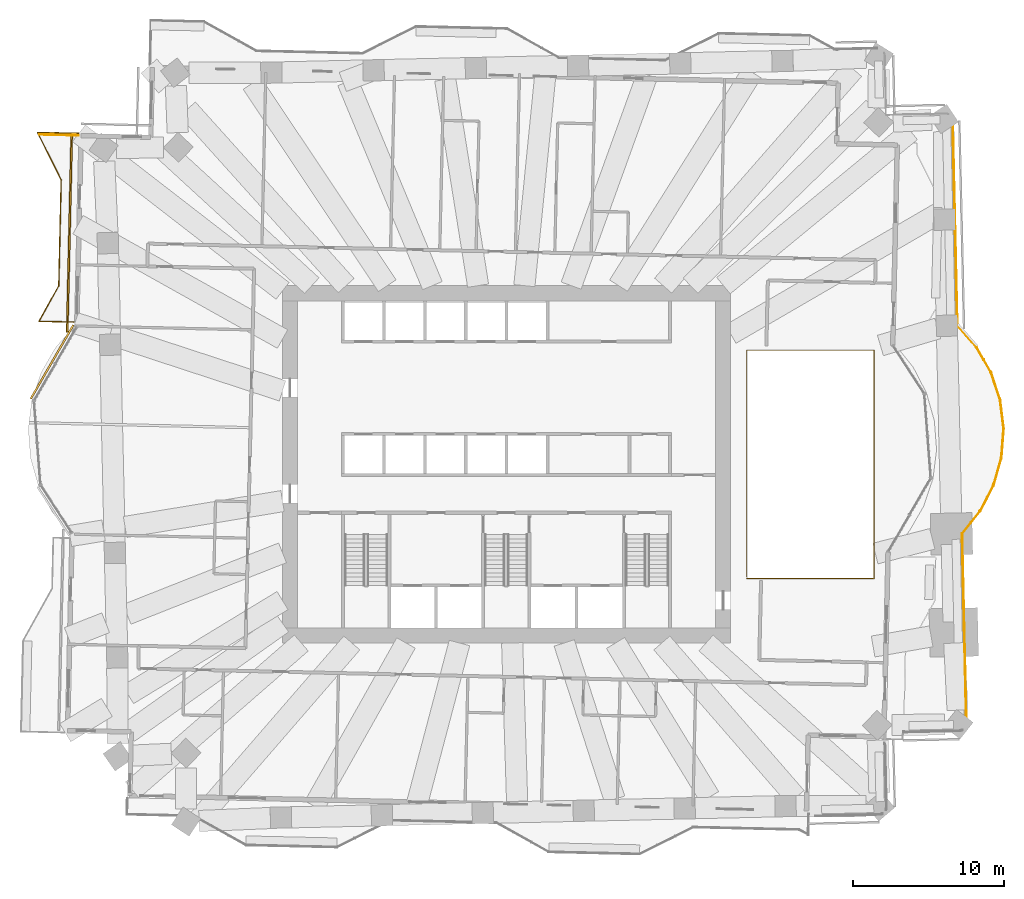
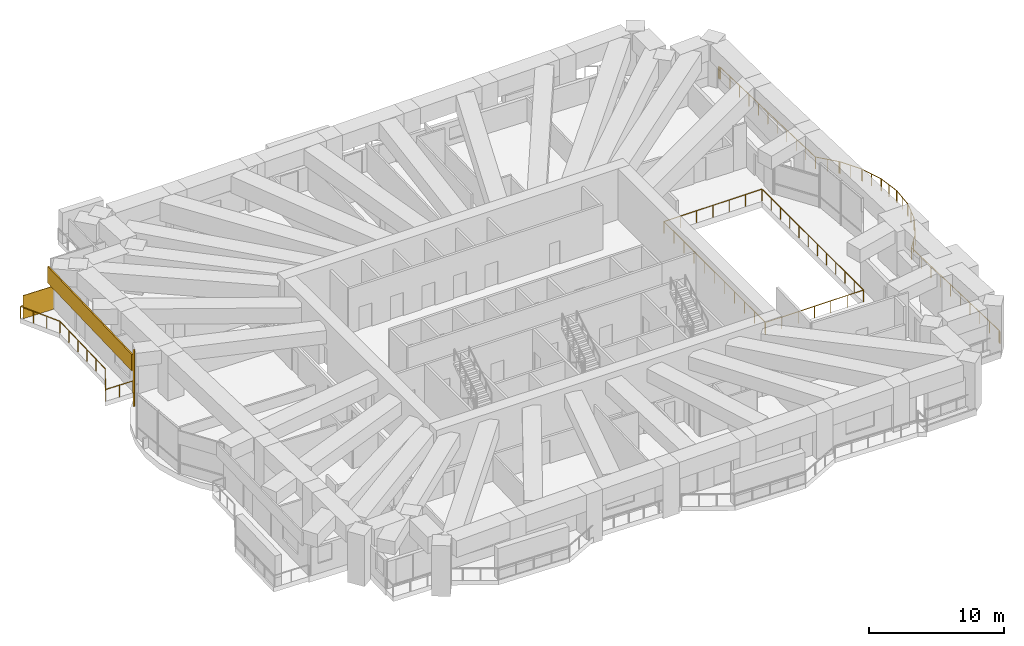
# One storey, part 19 of 20: 3 railings, 2 coverings, 1 shading device.
"""IFC4 building model written with IfcOpenShell, lengths in metres."""

from ifc_helpers import new_model, si_unit, direction, frame, frame_2d, origin, origin_2d, place, context, subcontext, project, spatial, rectangle, extrude, material, layer, layer_set, type_object, element, save


model = new_model("IFC4")

# Units and contexts
model_context = context("Model", 3, precision=1e-05, world=origin(), true_north=direction((0.0, 1.0)))
body_context = subcontext(model_context, "Body", "Model", "MODEL_VIEW")
ifc_project = project(units=[si_unit("LENGTHUNIT", "METRE"), si_unit("AREAUNIT", "SQUARE_METRE"), si_unit("VOLUMEUNIT", "CUBIC_METRE"), si_unit("PLANEANGLEUNIT", "RADIAN"), si_unit("MASSUNIT", "GRAM", prefix="KILO")], contexts=[model_context])

# Site, building, storey
site_placement = place(None, origin())
site = spatial("IfcSite", under=ifc_project, at=site_placement, CompositionType="ELEMENT")
building_placement = place(site_placement, origin())
building = spatial("IfcBuilding", under=site, at=building_placement, Name="Mangrove Gate Tower", CompositionType="ELEMENT")
storey_placement = place(building_placement, frame((0.0, 0.0, 97.300048828125)))
storey = spatial("IfcBuildingStorey", under=building, at=storey_placement, Name="L24", CompositionType="ELEMENT", Elevation=97.300048828125)

# Railings
ifc_material_1 = material(Name="Stainless steel grade 316 with laminated glass infill", Category="steel")
railing_type = type_object("IfcRailingType", Name="Balcony guard 1100", PredefinedType="GUARDRAIL", material=ifc_material_1)
railing_1_placement = place(storey_placement, frame((-28.2919921875, 21.861083984375, 0.0)))
element("IfcRailing", 1, at=railing_1_placement, inside=storey, type_object=railing_type, Name="GUARD L24 W1", PredefinedType="GUARDRAIL", context=body_context, shape_type="SweptSolid", body=[
    extrude(rectangle(XDim=0.048095703125, YDim=0.048095703125, at=origin_2d()), frame((0.0, 0.0, 1.076171875), z_axis=(-0.999744211975, 0.022616600579, 0.0), x_axis=(-0.022616600579, -0.999744211975, 0.0)), (0.0, 0.0, 1.0), 2.69873046875),
    extrude(rectangle(XDim=0.048095703125, YDim=0.048095703125, at=origin_2d()), frame((-2.697998046875, 0.06103515625, 1.076171875), z_axis=(0.447157891376, -0.894455040894, 0.0), x_axis=(0.894455040894, 0.447157891376, 0.0)), (0.0, 0.0, 1.0), 3.50634765625),
    extrude(rectangle(XDim=0.048095703125, YDim=0.048095703125, at=origin_2d()), frame((-1.130126953125, -3.0751953125, 1.076171875), z_axis=(-0.022703185001, -0.999742249478, 0.0), x_axis=(0.999742249478, -0.022703185001, 0.0)), (0.0, 0.0, 1.0), 7.00048828125),
    extrude(rectangle(XDim=0.048095703125, YDim=0.048095703125, at=origin_2d()), frame((-1.2890625, -10.073974609375, 1.076171875), z_axis=(-0.487332309153, -0.87321659424, 0.0), x_axis=(0.87321659424, -0.487332309153, 0.0)), (0.0, 0.0, 1.0), 2.685791015625),
    extrude(rectangle(XDim=0.048095703125, YDim=0.048095703125, at=origin_2d()), frame((-2.597900390625, -12.419189453125, 1.076171875), z_axis=(0.999738230516, -0.022879476484, 0.0), x_axis=(0.022879476484, 0.999738230516, 0.0)), (0.0, 0.0, 1.0), 2.3154296875),
    extrude(rectangle(XDim=0.0419921875, YDim=0.0419921875, at=origin_2d()), origin(), (0.0, 0.0, 1.0), 1.052001953125),
    extrude(rectangle(XDim=0.0419921875, YDim=0.0419921875, at=origin_2d()), frame((-1.34912109375, 0.030517578125, 0.0)), (0.0, 0.0, 1.0), 1.052001953125),
    extrude(rectangle(XDim=0.0419921875, YDim=0.0419921875, at=origin_2d()), frame((-2.697998046875, 0.06103515625, 0.0)), (0.0, 0.0, 1.0), 1.052001953125),
    extrude(rectangle(XDim=0.0419921875, YDim=0.0419921875, at=origin_2d()), frame((-2.17529296875, -0.984375, 0.0)), (0.0, 0.0, 1.0), 1.052001953125),
    extrude(rectangle(XDim=0.0419921875, YDim=0.0419921875, at=origin_2d()), frame((-1.65283203125, -2.02978515625, 0.0)), (0.0, 0.0, 1.0), 1.052001953125),
    extrude(rectangle(XDim=0.0419921875, YDim=0.0419921875, at=origin_2d()), frame((-1.130126953125, -3.0751953125, 0.0)), (0.0, 0.0, 1.0), 1.052001953125),
    extrude(rectangle(XDim=0.0419921875, YDim=0.0419921875, at=origin_2d()), frame((-1.161865234375, -4.474853515625, 0.0)), (0.0, 0.0, 1.0), 1.052001953125),
    extrude(rectangle(XDim=0.0419921875, YDim=0.0419921875, at=origin_2d()), frame((-1.193603515625, -5.874755859375, 0.0)), (0.0, 0.0, 1.0), 1.052001953125),
    extrude(rectangle(XDim=0.0419921875, YDim=0.0419921875, at=origin_2d()), frame((-1.2255859375, -7.2744140625, 0.0)), (0.0, 0.0, 1.0), 1.052001953125),
    extrude(rectangle(XDim=0.0419921875, YDim=0.0419921875, at=origin_2d()), frame((-1.25732421875, -8.67431640625, 0.0)), (0.0, 0.0, 1.0), 1.052001953125),
    extrude(rectangle(XDim=0.0419921875, YDim=0.0419921875, at=origin_2d()), frame((-1.2890625, -10.073974609375, 0.0)), (0.0, 0.0, 1.0), 1.052001953125),
    extrude(rectangle(XDim=0.0419921875, YDim=0.0419921875, at=origin_2d()), frame((-1.943359375, -11.24658203125, 0.0)), (0.0, 0.0, 1.0), 1.052001953125),
    extrude(rectangle(XDim=0.0419921875, YDim=0.0419921875, at=origin_2d()), frame((-2.597900390625, -12.419189453125, 0.0)), (0.0, 0.0, 1.0), 1.052001953125),
    extrude(rectangle(XDim=0.0419921875, YDim=0.0419921875, at=origin_2d()), frame((-1.4404296875, -12.44580078125, 0.0)), (0.0, 0.0, 1.0), 1.052001953125),
    extrude(rectangle(XDim=0.0419921875, YDim=0.0419921875, at=origin_2d()), frame((-0.282958984375, -12.47216796875, 0.0)), (0.0, 0.0, 1.0), 1.052001953125),
])
railing_2_placement = place(storey_placement, frame((15.860107421875, -7.5400390625, 0.0)))
element("IfcRailing", 2, at=railing_2_placement, inside=storey, type_object=railing_type, Name="GUARD L24 atrium", PredefinedType="GUARDRAIL", context=body_context, shape_type="SweptSolid", body=[
    extrude(rectangle(XDim=0.048095703125, YDim=0.048095703125, at=origin_2d()), frame((0.0, 0.0, 1.076171875), z_axis=(1.0, 0.0, 0.0), x_axis=(0.0, 1.0, 0.0)), (0.0, 0.0, 1.0), 8.406982421875),
    extrude(rectangle(XDim=0.048095703125, YDim=0.048095703125, at=origin_2d()), frame((8.406982421875, 0.0, 1.076171875), z_axis=(0.0, 1.0, 0.0), x_axis=(-1.0, 0.0, 0.0)), (0.0, 0.0, 1.0), 15.080078125),
    extrude(rectangle(XDim=0.048095703125, YDim=0.048095703125, at=origin_2d()), frame((8.406982421875, 15.080078125, 1.076171875), z_axis=(-1.0, 0.0, 0.0), x_axis=(0.0, -1.0, 0.0)), (0.0, 0.0, 1.0), 8.406982421875),
    extrude(rectangle(XDim=0.048095703125, YDim=0.048095703125, at=origin_2d()), frame((0.0, 15.080078125, 1.076171875), z_axis=(0.0, -1.0, 0.0), x_axis=(1.0, 0.0, 0.0)), (0.0, 0.0, 1.0), 14.9599609375),
    extrude(rectangle(XDim=0.0419921875, YDim=0.0419921875, at=origin_2d()), origin(), (0.0, 0.0, 1.0), 1.052001953125),
    extrude(rectangle(XDim=0.0419921875, YDim=0.0419921875, at=origin_2d()), frame((1.401123046875, 0.0, 0.0)), (0.0, 0.0, 1.0), 1.052001953125),
    extrude(rectangle(XDim=0.0419921875, YDim=0.0419921875, at=origin_2d()), frame((2.80224609375, 0.0, 0.0)), (0.0, 0.0, 1.0), 1.052001953125),
    extrude(rectangle(XDim=0.0419921875, YDim=0.0419921875, at=origin_2d()), frame((4.20361328125, 0.0, 0.0)), (0.0, 0.0, 1.0), 1.052001953125),
    extrude(rectangle(XDim=0.0419921875, YDim=0.0419921875, at=origin_2d()), frame((5.604736328125, 0.0, 0.0)), (0.0, 0.0, 1.0), 1.052001953125),
    extrude(rectangle(XDim=0.0419921875, YDim=0.0419921875, at=origin_2d()), frame((7.005859375, 0.0, 0.0)), (0.0, 0.0, 1.0), 1.052001953125),
    extrude(rectangle(XDim=0.0419921875, YDim=0.0419921875, at=origin_2d()), frame((8.406982421875, 0.0, 0.0)), (0.0, 0.0, 1.0), 1.052001953125),
    extrude(rectangle(XDim=0.0419921875, YDim=0.0419921875, at=origin_2d()), frame((8.406982421875, 1.370849609375, 0.0)), (0.0, 0.0, 1.0), 1.052001953125),
    extrude(rectangle(XDim=0.0419921875, YDim=0.0419921875, at=origin_2d()), frame((8.406982421875, 2.741943359375, 0.0)), (0.0, 0.0, 1.0), 1.052001953125),
    extrude(rectangle(XDim=0.0419921875, YDim=0.0419921875, at=origin_2d()), frame((8.406982421875, 4.11279296875, 0.0)), (0.0, 0.0, 1.0), 1.052001953125),
    extrude(rectangle(XDim=0.0419921875, YDim=0.0419921875, at=origin_2d()), frame((8.406982421875, 5.483642578125, 0.0)), (0.0, 0.0, 1.0), 1.052001953125),
    extrude(rectangle(XDim=0.0419921875, YDim=0.0419921875, at=origin_2d()), frame((8.406982421875, 6.8544921875, 0.0)), (0.0, 0.0, 1.0), 1.052001953125),
    extrude(rectangle(XDim=0.0419921875, YDim=0.0419921875, at=origin_2d()), frame((8.406982421875, 8.2255859375, 0.0)), (0.0, 0.0, 1.0), 1.052001953125),
    extrude(rectangle(XDim=0.0419921875, YDim=0.0419921875, at=origin_2d()), frame((8.406982421875, 9.596435546875, 0.0)), (0.0, 0.0, 1.0), 1.052001953125),
    extrude(rectangle(XDim=0.0419921875, YDim=0.0419921875, at=origin_2d()), frame((8.406982421875, 10.96728515625, 0.0)), (0.0, 0.0, 1.0), 1.052001953125),
    extrude(rectangle(XDim=0.0419921875, YDim=0.0419921875, at=origin_2d()), frame((8.406982421875, 12.338134765625, 0.0)), (0.0, 0.0, 1.0), 1.052001953125),
    extrude(rectangle(XDim=0.0419921875, YDim=0.0419921875, at=origin_2d()), frame((8.406982421875, 13.709228515625, 0.0)), (0.0, 0.0, 1.0), 1.052001953125),
    extrude(rectangle(XDim=0.0419921875, YDim=0.0419921875, at=origin_2d()), frame((8.406982421875, 15.080078125, 0.0)), (0.0, 0.0, 1.0), 1.052001953125),
    extrude(rectangle(XDim=0.0419921875, YDim=0.0419921875, at=origin_2d()), frame((7.005859375, 15.080078125, 0.0)), (0.0, 0.0, 1.0), 1.052001953125),
    extrude(rectangle(XDim=0.0419921875, YDim=0.0419921875, at=origin_2d()), frame((5.604736328125, 15.080078125, 0.0)), (0.0, 0.0, 1.0), 1.052001953125),
    extrude(rectangle(XDim=0.0419921875, YDim=0.0419921875, at=origin_2d()), frame((4.20361328125, 15.080078125, 0.0)), (0.0, 0.0, 1.0), 1.052001953125),
    extrude(rectangle(XDim=0.0419921875, YDim=0.0419921875, at=origin_2d()), frame((2.80224609375, 15.080078125, 0.0)), (0.0, 0.0, 1.0), 1.052001953125),
    extrude(rectangle(XDim=0.0419921875, YDim=0.0419921875, at=origin_2d()), frame((1.401123046875, 15.080078125, 0.0)), (0.0, 0.0, 1.0), 1.052001953125),
    extrude(rectangle(XDim=0.0419921875, YDim=0.0419921875, at=origin_2d()), frame((0.0, 15.080078125, 0.0)), (0.0, 0.0, 1.0), 1.052001953125),
    extrude(rectangle(XDim=0.0419921875, YDim=0.0419921875, at=origin_2d()), frame((0.0, 13.583984375, 0.0)), (0.0, 0.0, 1.0), 1.052001953125),
    extrude(rectangle(XDim=0.0419921875, YDim=0.0419921875, at=origin_2d()), frame((0.0, 12.088134765625, 0.0)), (0.0, 0.0, 1.0), 1.052001953125),
    extrude(rectangle(XDim=0.0419921875, YDim=0.0419921875, at=origin_2d()), frame((0.0, 10.592041015625, 0.0)), (0.0, 0.0, 1.0), 1.052001953125),
    extrude(rectangle(XDim=0.0419921875, YDim=0.0419921875, at=origin_2d()), frame((0.0, 9.09619140625, 0.0)), (0.0, 0.0, 1.0), 1.052001953125),
    extrude(rectangle(XDim=0.0419921875, YDim=0.0419921875, at=origin_2d()), frame((0.0, 7.60009765625, 0.0)), (0.0, 0.0, 1.0), 1.052001953125),
    extrude(rectangle(XDim=0.0419921875, YDim=0.0419921875, at=origin_2d()), frame((0.0, 6.10400390625, 0.0)), (0.0, 0.0, 1.0), 1.052001953125),
    extrude(rectangle(XDim=0.0419921875, YDim=0.0419921875, at=origin_2d()), frame((0.0, 4.608154296875, 0.0)), (0.0, 0.0, 1.0), 1.052001953125),
    extrude(rectangle(XDim=0.0419921875, YDim=0.0419921875, at=origin_2d()), frame((0.0, 3.112060546875, 0.0)), (0.0, 0.0, 1.0), 1.052001953125),
    extrude(rectangle(XDim=0.0419921875, YDim=0.0419921875, at=origin_2d()), frame((0.0, 1.6162109375, 0.0)), (0.0, 0.0, 1.0), 1.052001953125),
    extrude(rectangle(XDim=0.0419921875, YDim=0.0419921875, at=origin_2d()), frame((0.0, 0.1201171875, 0.0)), (0.0, 0.0, 1.0), 1.052001953125),
])
railing_3_placement = place(storey_placement, frame((29.410888671875, 22.903076171875, 0.0)))
element("IfcRailing", 3, at=railing_3_placement, inside=storey, type_object=railing_type, Name="GUARD L24 T1.2", PredefinedType="GUARDRAIL", context=body_context, shape_type="SweptSolid", body=[
    extrude(rectangle(XDim=0.048095703125, YDim=0.048095703125, at=origin_2d()), frame((0.0, 0.0, 1.076171875), z_axis=(0.436702041935, -0.899606206387, 0.0), x_axis=(0.899606206387, 0.436702041935, 0.0)), (0.0, 0.0, 1.0), 0.02783203125),
    extrude(rectangle(XDim=0.048095703125, YDim=0.048095703125, at=origin_2d()), frame((0.01220703125, -0.025146484375, 1.076171875), z_axis=(0.361967648779, -0.932190657129, 0.0), x_axis=(0.932190657129, 0.361967648779, 0.0)), (0.0, 0.0, 1.0), 0.04931640625),
    extrude(rectangle(XDim=0.048095703125, YDim=0.048095703125, at=origin_2d()), frame((0.030029296875, -0.071044921875, 1.076171875), z_axis=(0.269444841931, -0.963015823939, 0.0), x_axis=(0.963015823939, 0.269444841931, 0.0)), (0.0, 0.0, 1.0), 0.048828125),
    extrude(rectangle(XDim=0.048095703125, YDim=0.048095703125, at=origin_2d()), frame((0.043212890625, -0.1181640625, 1.076171875), z_axis=(0.161131898902, -0.986932880776, 0.0), x_axis=(0.986932880776, 0.161131898902, 0.0)), (0.0, 0.0, 1.0), 0.048583984375),
    extrude(rectangle(XDim=0.048095703125, YDim=0.048095703125, at=origin_2d()), frame((0.051025390625, -0.166015625, 1.076171875), z_axis=(0.084276225487, -0.996442430759, 0.0), x_axis=(0.996442430759, 0.084276225487, 0.0)), (0.0, 0.0, 1.0), 0.04931640625),
    extrude(rectangle(XDim=0.048095703125, YDim=0.048095703125, at=origin_2d()), frame((0.05517578125, -0.215087890625, 1.076171875), z_axis=(0.022638911046, -0.99974370701, 0.0), x_axis=(0.99974370701, 0.022638911046, 0.0)), (0.0, 0.0, 1.0), 13.512451171875),
    extrude(rectangle(XDim=0.048095703125, YDim=0.048095703125, at=origin_2d()), frame((0.361083984375, -13.72412109375, 1.076171875), z_axis=(0.081362009455, -0.996684615823, 0.0), x_axis=(0.996684615823, 0.081362009455, 0.0)), (0.0, 0.0, 1.0), 0.011962890625),
    extrude(rectangle(XDim=0.048095703125, YDim=0.048095703125, at=origin_2d()), frame((0.362060546875, -13.736083984375, 1.076171875), z_axis=(0.627009405212, -0.779011685263, 0.0), x_axis=(0.779011685263, 0.627009405212, 0.0)), (0.0, 0.0, 1.0), 0.012939453125),
    extrude(rectangle(XDim=0.048095703125, YDim=0.048095703125, at=origin_2d()), frame((0.3701171875, -13.74609375, 1.076171875), z_axis=(0.660529712034, -0.750799906446, 0.0), x_axis=(0.750799906446, 0.660529712034, 0.0)), (0.0, 0.0, 1.0), 1.849853515625),
    extrude(rectangle(XDim=0.048095703125, YDim=0.048095703125, at=origin_2d()), frame((1.592041015625, -15.135009765625, 1.076171875), z_axis=(0.61227042443, -0.790648422099, 0.0), x_axis=(0.790648422099, 0.61227042443, 0.0)), (0.0, 0.0, 1.0), 0.050537109375),
    extrude(rectangle(XDim=0.048095703125, YDim=0.048095703125, at=origin_2d()), frame((1.623046875, -15.175048828125, 1.076171875), z_axis=(0.551257265437, -0.834335320661, 0.0), x_axis=(0.834335320661, 0.551257265437, 0.0)), (0.0, 0.0, 1.0), 0.049072265625),
    extrude(rectangle(XDim=0.048095703125, YDim=0.048095703125, at=origin_2d()), frame((1.650146484375, -15.216064453125, 1.076171875), z_axis=(0.498124460568, -0.867105542471, 0.0), x_axis=(0.867105542471, 0.498124460568, 0.0)), (0.0, 0.0, 1.0), 1.81298828125),
    extrude(rectangle(XDim=0.048095703125, YDim=0.048095703125, at=origin_2d()), frame((2.55322265625, -16.7880859375, 1.076171875), z_axis=(0.462902565911, -0.886409168766, 0.0), x_axis=(0.886409168766, 0.462902565911, 0.0)), (0.0, 0.0, 1.0), 0.049560546875),
    extrude(rectangle(XDim=0.048095703125, YDim=0.048095703125, at=origin_2d()), frame((2.576171875, -16.83203125, 1.076171875), z_axis=(0.353777518471, -0.935329603629, 0.0), x_axis=(0.935329603629, 0.353777518471, 0.0)), (0.0, 0.0, 1.0), 0.05029296875),
    extrude(rectangle(XDim=0.048095703125, YDim=0.048095703125, at=origin_2d()), frame((2.593994140625, -16.879150390625, 1.076171875), z_axis=(0.316227766017, -0.948683298051, 0.0), x_axis=(0.948683298051, 0.316227766017, 0.0)), (0.0, 0.0, 1.0), 1.81201171875),
    extrude(rectangle(XDim=0.048095703125, YDim=0.048095703125, at=origin_2d()), frame((3.1669921875, -18.59814453125, 1.076171875), z_axis=(0.283755165199, -0.958896765154, 0.0), x_axis=(0.958896765154, 0.283755165199, 0.0)), (0.0, 0.0, 1.0), 0.0498046875),
    extrude(rectangle(XDim=0.048095703125, YDim=0.048095703125, at=origin_2d()), frame((3.18115234375, -18.64599609375, 1.076171875), z_axis=(0.158929596648, -0.98728991857, 0.0), x_axis=(0.98728991857, 0.158929596648, 0.0)), (0.0, 0.0, 1.0), 0.05078125),
    extrude(rectangle(XDim=0.048095703125, YDim=0.048095703125, at=origin_2d()), frame((3.189208984375, -18.696044921875, 1.076171875), z_axis=(0.122426666304, -0.992477562153, 0.0), x_axis=(0.992477562153, 0.122426666304, 0.0)), (0.0, 0.0, 1.0), 1.812744140625),
    extrude(rectangle(XDim=0.048095703125, YDim=0.048095703125, at=origin_2d()), frame((3.4111328125, -20.4951171875, 1.076171875), z_axis=(0.059595380047, -0.998222615791, 0.0), x_axis=(0.998222615791, 0.059595380047, 0.0)), (0.0, 0.0, 1.0), 0.049072265625),
    extrude(rectangle(XDim=0.048095703125, YDim=0.048095703125, at=origin_2d()), frame((3.4140625, -20.544189453125, 1.076171875), z_axis=(-0.019604074934, -0.999807821657, 0.0), x_axis=(0.999807821657, -0.019604074934, 0.0)), (0.0, 0.0, 1.0), 0.0498046875),
    extrude(rectangle(XDim=0.048095703125, YDim=0.048095703125, at=origin_2d()), frame((3.4130859375, -20.593994140625, 1.076171875), z_axis=(-0.07713916449, -0.99702033545, 0.0), x_axis=(0.99702033545, -0.07713916449, 0.0)), (0.0, 0.0, 1.0), 1.8134765625),
    extrude(rectangle(XDim=0.048095703125, YDim=0.048095703125, at=origin_2d()), frame((3.273193359375, -22.402099609375, 1.076171875), z_axis=(-0.123427070371, -0.992353645783, 0.0), x_axis=(0.992353645783, -0.123427070371, 0.0)), (0.0, 0.0, 1.0), 0.049560546875),
    extrude(rectangle(XDim=0.048095703125, YDim=0.048095703125, at=origin_2d()), frame((3.26708984375, -22.451171875, 1.076171875), z_axis=(-0.219512195122, -0.975609756098, 0.0), x_axis=(0.975609756098, -0.219512195122, 0.0)), (0.0, 0.0, 1.0), 0.050048828125),
    extrude(rectangle(XDim=0.048095703125, YDim=0.048095703125, at=origin_2d()), frame((3.256103515625, -22.5, 1.076171875), z_axis=(-0.273101414266, -0.961985248081, 0.0), x_axis=(0.961985248081, -0.273101414266, 0.0)), (0.0, 0.0, 1.0), 1.81201171875),
    extrude(rectangle(XDim=0.048095703125, YDim=0.048095703125, at=origin_2d()), frame((2.76123046875, -24.2431640625, 1.076171875), z_axis=(-0.319127445946, -0.947711809172, 0.0), x_axis=(0.947711809172, -0.319127445946, 0.0)), (0.0, 0.0, 1.0), 0.050537109375),
    extrude(rectangle(XDim=0.048095703125, YDim=0.048095703125, at=origin_2d()), frame((2.7451171875, -24.291015625, 1.076171875), z_axis=(-0.42154330482, -0.906808271997, 0.0), x_axis=(0.906808271997, -0.42154330482, 0.0)), (0.0, 0.0, 1.0), 0.0498046875),
    extrude(rectangle(XDim=0.048095703125, YDim=0.048095703125, at=origin_2d()), frame((2.72412109375, -24.336181640625, 1.076171875), z_axis=(-0.458491951737, -0.888698559801, 0.0), x_axis=(0.888698559801, -0.458491951737, 0.0)), (0.0, 0.0, 1.0), 1.8125),
    extrude(rectangle(XDim=0.048095703125, YDim=0.048095703125, at=origin_2d()), frame((1.89306640625, -25.947021484375, 1.076171875), z_axis=(-0.501423782413, -0.865201820635, 0.0), x_axis=(0.865201820635, -0.501423782413, 0.0)), (0.0, 0.0, 1.0), 0.049560546875),
    extrude(rectangle(XDim=0.048095703125, YDim=0.048095703125, at=origin_2d()), frame((1.8681640625, -25.989990234375, 1.076171875), z_axis=(-0.587291012921, -0.80937584974, 0.0), x_axis=(0.80937584974, -0.587291012921, 0.0)), (0.0, 0.0, 1.0), 0.049560546875),
    extrude(rectangle(XDim=0.048095703125, YDim=0.048095703125, at=origin_2d()), frame((1.839111328125, -26.030029296875, 1.076171875), z_axis=(-0.625579310112, -0.780160577548, 0.0), x_axis=(0.780160577548, -0.625579310112, 0.0)), (0.0, 0.0, 1.0), 1.85107421875),
    extrude(rectangle(XDim=0.048095703125, YDim=0.048095703125, at=origin_2d()), frame((0.68115234375, -27.47412109375, 1.076171875), z_axis=(-0.577464720627, -0.816415639507, 0.0), x_axis=(0.816415639507, -0.577464720627, 0.0)), (0.0, 0.0, 1.0), 0.01220703125),
    extrude(rectangle(XDim=0.048095703125, YDim=0.048095703125, at=origin_2d()), frame((0.674072265625, -27.484130859375, 1.076171875), z_axis=(0.0, -1.0, 0.0), x_axis=(1.0, 0.0, 0.0)), (0.0, 0.0, 1.0), 0.011962890625),
    extrude(rectangle(XDim=0.048095703125, YDim=0.048095703125, at=origin_2d()), frame((0.674072265625, -27.49609375, 1.076171875), z_axis=(0.022692595502, -0.999742489899, 0.0), x_axis=(0.999742489899, 0.022692595502, 0.0)), (0.0, 0.0, 1.0), 12.51220703125),
    extrude(rectangle(XDim=0.048095703125, YDim=0.048095703125, at=origin_2d()), frame((0.9580078125, -40.005126953125, 1.076171875), z_axis=(-0.0199960012, -0.99980005998, 0.0), x_axis=(0.99980005998, -0.0199960012, 0.0)), (0.0, 0.0, 1.0), 0.048828125),
    extrude(rectangle(XDim=0.048095703125, YDim=0.048095703125, at=origin_2d()), frame((0.95703125, -40.053955078125, 1.076171875), z_axis=(-0.137971217349, -0.990436238828, 0.0), x_axis=(0.990436238828, -0.137971217349, 0.0)), (0.0, 0.0, 1.0), 0.049560546875),
    extrude(rectangle(XDim=0.048095703125, YDim=0.048095703125, at=origin_2d()), frame((0.9501953125, -40.10302734375, 1.076171875), z_axis=(-0.203755794539, -0.979021744494, 0.0), x_axis=(0.979021744494, -0.203755794539, 0.0)), (0.0, 0.0, 1.0), 0.049072265625),
    extrude(rectangle(XDim=0.048095703125, YDim=0.048095703125, at=origin_2d()), frame((0.940185546875, -40.151123046875, 1.076171875), z_axis=(-0.331244504731, -0.94354495287, 0.0), x_axis=(0.94354495287, -0.331244504731, 0.0)), (0.0, 0.0, 1.0), 0.048583984375),
    extrude(rectangle(XDim=0.048095703125, YDim=0.048095703125, at=origin_2d()), frame((0.924072265625, -40.197021484375, 1.076171875), z_axis=(-0.38767182815, -0.921797458045, 0.0), x_axis=(0.921797458045, -0.38767182815, 0.0)), (0.0, 0.0, 1.0), 0.0283203125),
    extrude(rectangle(XDim=0.0419921875, YDim=0.0419921875, at=origin_2d()), origin(), (0.0, 0.0, 1.0), 1.052001953125),
    extrude(rectangle(XDim=0.0419921875, YDim=0.0419921875, at=origin_2d()), frame((0.01220703125, -0.025146484375, 0.0)), (0.0, 0.0, 1.0), 1.052001953125),
    extrude(rectangle(XDim=0.0419921875, YDim=0.0419921875, at=origin_2d()), frame((0.030029296875, -0.071044921875, 0.0)), (0.0, 0.0, 1.0), 1.052001953125),
    extrude(rectangle(XDim=0.0419921875, YDim=0.0419921875, at=origin_2d()), frame((0.043212890625, -0.1181640625, 0.0)), (0.0, 0.0, 1.0), 1.052001953125),
    extrude(rectangle(XDim=0.0419921875, YDim=0.0419921875, at=origin_2d()), frame((0.051025390625, -0.166015625, 0.0)), (0.0, 0.0, 1.0), 1.052001953125),
    extrude(rectangle(XDim=0.0419921875, YDim=0.0419921875, at=origin_2d()), frame((0.05517578125, -0.215087890625, 0.0)), (0.0, 0.0, 1.0), 1.052001953125),
    extrude(rectangle(XDim=0.0419921875, YDim=0.0419921875, at=origin_2d()), frame((0.085693359375, -1.56591796875, 0.0)), (0.0, 0.0, 1.0), 1.052001953125),
    extrude(rectangle(XDim=0.0419921875, YDim=0.0419921875, at=origin_2d()), frame((0.116455078125, -2.9169921875, 0.0)), (0.0, 0.0, 1.0), 1.052001953125),
    extrude(rectangle(XDim=0.0419921875, YDim=0.0419921875, at=origin_2d()), frame((0.14697265625, -4.267822265625, 0.0)), (0.0, 0.0, 1.0), 1.052001953125),
    extrude(rectangle(XDim=0.0419921875, YDim=0.0419921875, at=origin_2d()), frame((0.177490234375, -5.61865234375, 0.0)), (0.0, 0.0, 1.0), 1.052001953125),
    extrude(rectangle(XDim=0.0419921875, YDim=0.0419921875, at=origin_2d()), frame((0.2080078125, -6.9697265625, 0.0)), (0.0, 0.0, 1.0), 1.052001953125),
    extrude(rectangle(XDim=0.0419921875, YDim=0.0419921875, at=origin_2d()), frame((0.23876953125, -8.320556640625, 0.0)), (0.0, 0.0, 1.0), 1.052001953125),
    extrude(rectangle(XDim=0.0419921875, YDim=0.0419921875, at=origin_2d()), frame((0.269287109375, -9.67138671875, 0.0)), (0.0, 0.0, 1.0), 1.052001953125),
    extrude(rectangle(XDim=0.0419921875, YDim=0.0419921875, at=origin_2d()), frame((0.2998046875, -11.022216796875, 0.0)), (0.0, 0.0, 1.0), 1.052001953125),
    extrude(rectangle(XDim=0.0419921875, YDim=0.0419921875, at=origin_2d()), frame((0.33056640625, -12.373291015625, 0.0)), (0.0, 0.0, 1.0), 1.052001953125),
    extrude(rectangle(XDim=0.0419921875, YDim=0.0419921875, at=origin_2d()), frame((0.361083984375, -13.72412109375, 0.0)), (0.0, 0.0, 1.0), 1.052001953125),
    extrude(rectangle(XDim=0.0419921875, YDim=0.0419921875, at=origin_2d()), frame((0.362060546875, -13.736083984375, 0.0)), (0.0, 0.0, 1.0), 1.052001953125),
    extrude(rectangle(XDim=0.0419921875, YDim=0.0419921875, at=origin_2d()), frame((0.3701171875, -13.74609375, 0.0)), (0.0, 0.0, 1.0), 1.052001953125),
    extrude(rectangle(XDim=0.0419921875, YDim=0.0419921875, at=origin_2d()), frame((0.98095703125, -14.4404296875, 0.0)), (0.0, 0.0, 1.0), 1.052001953125),
    extrude(rectangle(XDim=0.0419921875, YDim=0.0419921875, at=origin_2d()), frame((1.592041015625, -15.135009765625, 0.0)), (0.0, 0.0, 1.0), 1.052001953125),
    extrude(rectangle(XDim=0.0419921875, YDim=0.0419921875, at=origin_2d()), frame((1.623046875, -15.175048828125, 0.0)), (0.0, 0.0, 1.0), 1.052001953125),
    extrude(rectangle(XDim=0.0419921875, YDim=0.0419921875, at=origin_2d()), frame((1.650146484375, -15.216064453125, 0.0)), (0.0, 0.0, 1.0), 1.052001953125),
    extrude(rectangle(XDim=0.0419921875, YDim=0.0419921875, at=origin_2d()), frame((2.1015625, -16.001953125, 0.0)), (0.0, 0.0, 1.0), 1.052001953125),
    extrude(rectangle(XDim=0.0419921875, YDim=0.0419921875, at=origin_2d()), frame((2.55322265625, -16.7880859375, 0.0)), (0.0, 0.0, 1.0), 1.052001953125),
    extrude(rectangle(XDim=0.0419921875, YDim=0.0419921875, at=origin_2d()), frame((2.576171875, -16.83203125, 0.0)), (0.0, 0.0, 1.0), 1.052001953125),
    extrude(rectangle(XDim=0.0419921875, YDim=0.0419921875, at=origin_2d()), frame((2.593994140625, -16.879150390625, 0.0)), (0.0, 0.0, 1.0), 1.052001953125),
    extrude(rectangle(XDim=0.0419921875, YDim=0.0419921875, at=origin_2d()), frame((2.88037109375, -17.73876953125, 0.0)), (0.0, 0.0, 1.0), 1.052001953125),
    extrude(rectangle(XDim=0.0419921875, YDim=0.0419921875, at=origin_2d()), frame((3.1669921875, -18.59814453125, 0.0)), (0.0, 0.0, 1.0), 1.052001953125),
    extrude(rectangle(XDim=0.0419921875, YDim=0.0419921875, at=origin_2d()), frame((3.18115234375, -18.64599609375, 0.0)), (0.0, 0.0, 1.0), 1.052001953125),
    extrude(rectangle(XDim=0.0419921875, YDim=0.0419921875, at=origin_2d()), frame((3.189208984375, -18.696044921875, 0.0)), (0.0, 0.0, 1.0), 1.052001953125),
    extrude(rectangle(XDim=0.0419921875, YDim=0.0419921875, at=origin_2d()), frame((3.30029296875, -19.595703125, 0.0)), (0.0, 0.0, 1.0), 1.052001953125),
    extrude(rectangle(XDim=0.0419921875, YDim=0.0419921875, at=origin_2d()), frame((3.4111328125, -20.4951171875, 0.0)), (0.0, 0.0, 1.0), 1.052001953125),
    extrude(rectangle(XDim=0.0419921875, YDim=0.0419921875, at=origin_2d()), frame((3.4140625, -20.544189453125, 0.0)), (0.0, 0.0, 1.0), 1.052001953125),
    extrude(rectangle(XDim=0.0419921875, YDim=0.0419921875, at=origin_2d()), frame((3.4130859375, -20.593994140625, 0.0)), (0.0, 0.0, 1.0), 1.052001953125),
    extrude(rectangle(XDim=0.0419921875, YDim=0.0419921875, at=origin_2d()), frame((3.34326171875, -21.498046875, 0.0)), (0.0, 0.0, 1.0), 1.052001953125),
    extrude(rectangle(XDim=0.0419921875, YDim=0.0419921875, at=origin_2d()), frame((3.273193359375, -22.402099609375, 0.0)), (0.0, 0.0, 1.0), 1.052001953125),
    extrude(rectangle(XDim=0.0419921875, YDim=0.0419921875, at=origin_2d()), frame((3.26708984375, -22.451171875, 0.0)), (0.0, 0.0, 1.0), 1.052001953125),
    extrude(rectangle(XDim=0.0419921875, YDim=0.0419921875, at=origin_2d()), frame((3.256103515625, -22.5, 0.0)), (0.0, 0.0, 1.0), 1.052001953125),
    extrude(rectangle(XDim=0.0419921875, YDim=0.0419921875, at=origin_2d()), frame((3.0087890625, -23.37158203125, 0.0)), (0.0, 0.0, 1.0), 1.052001953125),
    extrude(rectangle(XDim=0.0419921875, YDim=0.0419921875, at=origin_2d()), frame((2.76123046875, -24.2431640625, 0.0)), (0.0, 0.0, 1.0), 1.052001953125),
    extrude(rectangle(XDim=0.0419921875, YDim=0.0419921875, at=origin_2d()), frame((2.7451171875, -24.291015625, 0.0)), (0.0, 0.0, 1.0), 1.052001953125),
    extrude(rectangle(XDim=0.0419921875, YDim=0.0419921875, at=origin_2d()), frame((2.72412109375, -24.336181640625, 0.0)), (0.0, 0.0, 1.0), 1.052001953125),
    extrude(rectangle(XDim=0.0419921875, YDim=0.0419921875, at=origin_2d()), frame((2.30859375, -25.1416015625, 0.0)), (0.0, 0.0, 1.0), 1.052001953125),
    extrude(rectangle(XDim=0.0419921875, YDim=0.0419921875, at=origin_2d()), frame((1.89306640625, -25.947021484375, 0.0)), (0.0, 0.0, 1.0), 1.052001953125),
    extrude(rectangle(XDim=0.0419921875, YDim=0.0419921875, at=origin_2d()), frame((1.8681640625, -25.989990234375, 0.0)), (0.0, 0.0, 1.0), 1.052001953125),
    extrude(rectangle(XDim=0.0419921875, YDim=0.0419921875, at=origin_2d()), frame((1.839111328125, -26.030029296875, 0.0)), (0.0, 0.0, 1.0), 1.052001953125),
    extrude(rectangle(XDim=0.0419921875, YDim=0.0419921875, at=origin_2d()), frame((1.26025390625, -26.751953125, 0.0)), (0.0, 0.0, 1.0), 1.052001953125),
    extrude(rectangle(XDim=0.0419921875, YDim=0.0419921875, at=origin_2d()), frame((0.68115234375, -27.47412109375, 0.0)), (0.0, 0.0, 1.0), 1.052001953125),
    extrude(rectangle(XDim=0.0419921875, YDim=0.0419921875, at=origin_2d()), frame((0.674072265625, -27.484130859375, 0.0)), (0.0, 0.0, 1.0), 1.052001953125),
    extrude(rectangle(XDim=0.0419921875, YDim=0.0419921875, at=origin_2d()), frame((0.674072265625, -27.49609375, 0.0)), (0.0, 0.0, 1.0), 1.052001953125),
    extrude(rectangle(XDim=0.0419921875, YDim=0.0419921875, at=origin_2d()), frame((0.70556640625, -28.885986328125, 0.0)), (0.0, 0.0, 1.0), 1.052001953125),
    extrude(rectangle(XDim=0.0419921875, YDim=0.0419921875, at=origin_2d()), frame((0.737060546875, -30.27587890625, 0.0)), (0.0, 0.0, 1.0), 1.052001953125),
    extrude(rectangle(XDim=0.0419921875, YDim=0.0419921875, at=origin_2d()), frame((0.768798828125, -31.665771484375, 0.0)), (0.0, 0.0, 1.0), 1.052001953125),
    extrude(rectangle(XDim=0.0419921875, YDim=0.0419921875, at=origin_2d()), frame((0.80029296875, -33.0556640625, 0.0)), (0.0, 0.0, 1.0), 1.052001953125),
    extrude(rectangle(XDim=0.0419921875, YDim=0.0419921875, at=origin_2d()), frame((0.831787109375, -34.445556640625, 0.0)), (0.0, 0.0, 1.0), 1.052001953125),
    extrude(rectangle(XDim=0.0419921875, YDim=0.0419921875, at=origin_2d()), frame((0.86328125, -35.83544921875, 0.0)), (0.0, 0.0, 1.0), 1.052001953125),
    extrude(rectangle(XDim=0.0419921875, YDim=0.0419921875, at=origin_2d()), frame((0.89501953125, -37.225341796875, 0.0)), (0.0, 0.0, 1.0), 1.052001953125),
    extrude(rectangle(XDim=0.0419921875, YDim=0.0419921875, at=origin_2d()), frame((0.926513671875, -38.615234375, 0.0)), (0.0, 0.0, 1.0), 1.052001953125),
    extrude(rectangle(XDim=0.0419921875, YDim=0.0419921875, at=origin_2d()), frame((0.9580078125, -40.005126953125, 0.0)), (0.0, 0.0, 1.0), 1.052001953125),
    extrude(rectangle(XDim=0.0419921875, YDim=0.0419921875, at=origin_2d()), frame((0.95703125, -40.053955078125, 0.0)), (0.0, 0.0, 1.0), 1.052001953125),
    extrude(rectangle(XDim=0.0419921875, YDim=0.0419921875, at=origin_2d()), frame((0.9501953125, -40.10302734375, 0.0)), (0.0, 0.0, 1.0), 1.052001953125),
    extrude(rectangle(XDim=0.0419921875, YDim=0.0419921875, at=origin_2d()), frame((0.940185546875, -40.151123046875, 0.0)), (0.0, 0.0, 1.0), 1.052001953125),
    extrude(rectangle(XDim=0.0419921875, YDim=0.0419921875, at=origin_2d()), frame((0.924072265625, -40.197021484375, 0.0)), (0.0, 0.0, 1.0), 1.052001953125),
    extrude(rectangle(XDim=0.0419921875, YDim=0.0419921875, at=origin_2d()), frame((0.9130859375, -40.22314453125, 0.0)), (0.0, 0.0, 1.0), 1.052001953125),
])

# Shading device
ifc_material_2 = material(Name="Timber slat screen in teak", Category="wood")
shading_device_type = type_object("IfcShadingDeviceType", Name="Balcony screen 2100", PredefinedType="USERDEFINED", material=ifc_material_2)
shading_device_placement = place(storey_placement, frame((-29.56396484375, 21.75, 0.0), z_axis=(0.0, 0.0, 1.0), x_axis=(-0.999743005139, 0.022669884769, 0.0)))
element("IfcShadingDevice", 4, at=shading_device_placement, inside=storey, type_object=shading_device_type, Name="SCREEN L24 W0", ObjectType="SCREEN", PredefinedType="USERDEFINED", context=body_context, shape_type="SweptSolid", body=[
    extrude(rectangle(XDim=2.5791015625, YDim=0.050048828125, at=origin_2d()), origin(), (0.0, 0.0, 1.0), 2.10009765625),
])

# Coverings
ifc_material_3 = material(Name="Limestone", Category="masonry")
ifc_layer_1 = layer(ifc_material_3, 0.0400390625, Name="Limestone cladding")
ifc_material_4 = material(Name="Stainless steel anchors and cavity", Category="steel")
ifc_layer_2 = layer(ifc_material_4, 0.080078125, Name="Fixing cavity")
ifc_layer_set = layer_set([ifc_layer_1, ifc_layer_2], Name="Joint fascia cladding 120")
covering_type = type_object("IfcCoveringType", Name="Joint fascia cladding 120", PredefinedType="CLADDING", material=ifc_layer_set)
covering_1_placement = place(storey_placement, frame((-28.72607421875, 21.720947265625, 2.550048828125), z_axis=(0.0, 0.0, 1.0), x_axis=(-0.022746558251, -0.999741263572, 0.0)))
element("IfcCovering", 5, at=covering_1_placement, inside=storey, type_object=covering_type, Name="STONE FASCIA L24 W8.1", PredefinedType="CLADDING", context=body_context, shape_type="SweptSolid", body=[
    extrude(rectangle(XDim=13.008544921875, YDim=0.1201171875, at=frame_2d((6.50439453125, 0.0))), origin(), (0.0, 0.0, 1.0), 1.5),
])
covering_2_placement = place(storey_placement, frame((-28.611083984375, 9.20703125, 2.849853515625), z_axis=(0.0, 0.0, 1.0), x_axis=(-0.500350409795, -0.865823000051, 0.0)))
element("IfcCovering", 6, at=covering_2_placement, inside=storey, type_object=covering_type, Name="STONE FASCIA L24 W9.L1", PredefinedType="CLADDING", context=body_context, shape_type="SweptSolid", body=[
    extrude(rectangle(XDim=5.64208984375, YDim=0.1201171875, at=frame_2d((2.821044921875, 0.0))), origin(), (0.0, 0.0, 1.0), 1.2001953125),
])

save(model, "model.ifc")
